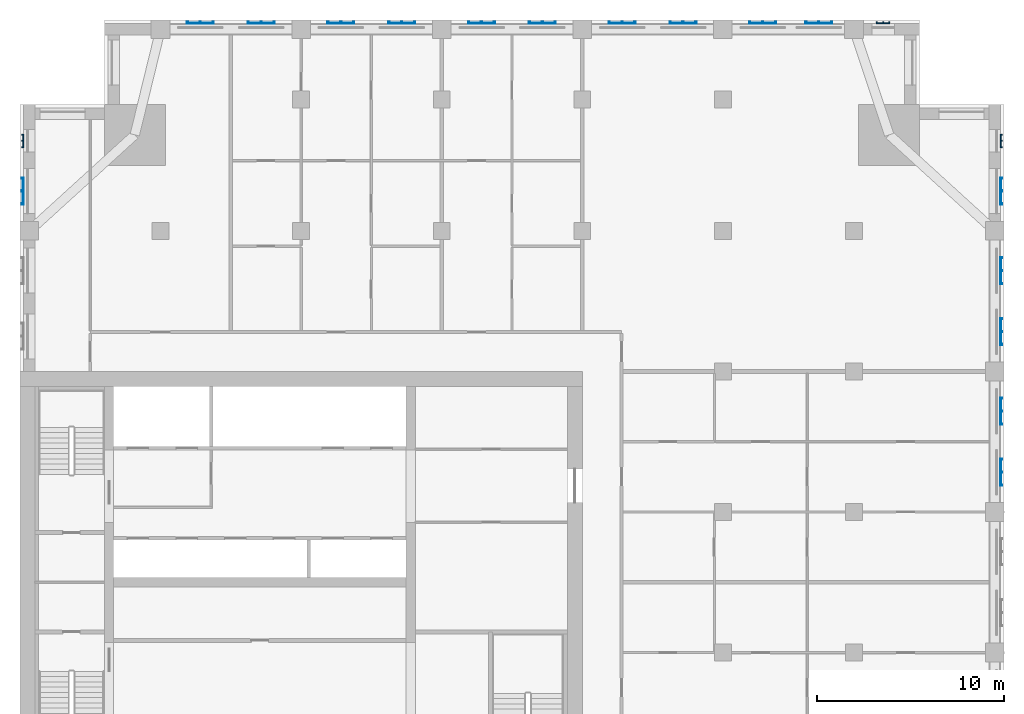
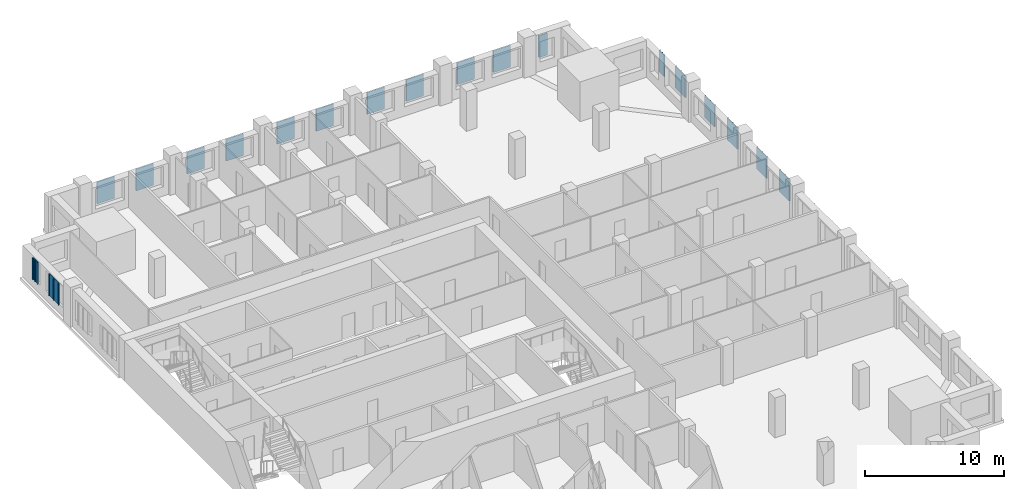
# One storey, part 5 of 14: 19 plates.
"""IFC4 building model written with IfcOpenShell, lengths in metres."""

from ifc_helpers import new_model, si_unit, direction, frame, origin, place, context, subcontext, project, spatial, polyline, outline, extrude, material, layer, layer_set, type_object, element, save


model = new_model("IFC4")

# Units and contexts
model_context = context("Model", 3, precision=1e-05, world=origin(), true_north=direction((0.0, 1.0)))
body_context = subcontext(model_context, "Body", "Model", "MODEL_VIEW")
ifc_project = project(units=[si_unit("LENGTHUNIT", "METRE"), si_unit("AREAUNIT", "SQUARE_METRE"), si_unit("VOLUMEUNIT", "CUBIC_METRE"), si_unit("PLANEANGLEUNIT", "RADIAN"), si_unit("MASSUNIT", "GRAM", prefix="KILO")], contexts=[model_context])

# Site, building, storey
site_placement = place(None, origin())
site = spatial("IfcSite", under=ifc_project, at=site_placement, CompositionType="ELEMENT")
building_placement = place(site_placement, origin())
building = spatial("IfcBuilding", under=site, at=building_placement, Name="Tamorin Gate", CompositionType="ELEMENT")
storey_placement = place(building_placement, frame((0.0, 0.0, 207.199951171875)))
storey = spatial("IfcBuildingStorey", under=building, at=storey_placement, Name="L51", CompositionType="ELEMENT", Elevation=207.199951171875)

# Plates
ifc_material = material(Name="Perforated pale aluminium sheet", Category="aluminium")
ifc_layer_1 = layer(ifc_material, 0.0400390625)
ifc_layer_set_1 = layer_set([ifc_layer_1], Name="Pale metal solar screen 1440")
plate_type_1 = type_object("IfcPlateType", Name="Pale metal solar screen 1440", PredefinedType="SHEET", material=ifc_layer_set_1)
plate_1_placement = place(storey_placement, frame((0.0, 0.0, 0.737548828125)))
element("IfcPlate", 1, at=plate_1_placement, inside=storey, type_object=plate_type_1, Name="Perforated solar screen", PredefinedType="SHEET", context=body_context, shape_type="SweptSolid", body=[
    extrude(outline(polyline([(82.340087890625, 76.405029296875), (82.300048828125, 76.405029296875), (82.300048828125, 76.465087890625), (82.300048828125, 77.094970703125), (82.300048828125, 77.155029296875), (82.300048828125, 77.784912109375), (82.300048828125, 77.844970703125), (82.340087890625, 77.844970703125), (82.39990234375, 77.844970703125), (82.39990234375, 77.784912109375), (82.340087890625, 77.784912109375), (82.340087890625, 77.155029296875), (82.39990234375, 77.155029296875), (82.39990234375, 77.094970703125), (82.340087890625, 77.094970703125), (82.340087890625, 76.465087890625), (82.39990234375, 76.465087890625), (82.39990234375, 76.405029296875), (82.340087890625, 76.405029296875)])), origin(), (0.0, 0.0, 1.0), 1.925048828125),
])
plate_2_placement = place(storey_placement, frame((0.0, 0.0, 0.737548828125)))
element("IfcPlate", 2, at=plate_2_placement, inside=storey, type_object=plate_type_1, Name="Perforated solar screen", PredefinedType="SHEET", context=body_context, shape_type="SweptSolid", body=[
    extrude(outline(polyline([(82.340087890625, 79.655029296875), (82.300048828125, 79.655029296875), (82.300048828125, 79.715087890625), (82.300048828125, 80.344970703125), (82.300048828125, 80.405029296875), (82.300048828125, 81.034912109375), (82.300048828125, 81.094970703125), (82.340087890625, 81.094970703125), (82.39990234375, 81.094970703125), (82.39990234375, 81.034912109375), (82.340087890625, 81.034912109375), (82.340087890625, 80.405029296875), (82.39990234375, 80.405029296875), (82.39990234375, 80.344970703125), (82.340087890625, 80.344970703125), (82.340087890625, 79.715087890625), (82.39990234375, 79.715087890625), (82.39990234375, 79.655029296875), (82.340087890625, 79.655029296875)])), origin(), (0.0, 0.0, 1.0), 1.925048828125),
])
plate_3_placement = place(storey_placement, frame((0.0, 0.0, 0.737548828125)))
element("IfcPlate", 3, at=plate_3_placement, inside=storey, type_object=plate_type_1, Name="Perforated solar screen", PredefinedType="SHEET", context=body_context, shape_type="SweptSolid", body=[
    extrude(outline(polyline([(82.340087890625, 83.905029296875), (82.300048828125, 83.905029296875), (82.300048828125, 83.965087890625), (82.300048828125, 84.594970703125), (82.300048828125, 84.655029296875), (82.300048828125, 85.284912109375), (82.300048828125, 85.344970703125), (82.340087890625, 85.344970703125), (82.39990234375, 85.344970703125), (82.39990234375, 85.284912109375), (82.340087890625, 85.284912109375), (82.340087890625, 84.655029296875), (82.39990234375, 84.655029296875), (82.39990234375, 84.594970703125), (82.340087890625, 84.594970703125), (82.340087890625, 83.965087890625), (82.39990234375, 83.965087890625), (82.39990234375, 83.905029296875), (82.340087890625, 83.905029296875)])), origin(), (0.0, 0.0, 1.0), 1.925048828125),
])
plate_4_placement = place(storey_placement, frame((0.0, 0.0, 0.737548828125)))
element("IfcPlate", 4, at=plate_4_placement, inside=storey, type_object=plate_type_1, Name="Perforated solar screen", PredefinedType="SHEET", context=body_context, shape_type="SweptSolid", body=[
    extrude(outline(polyline([(82.340087890625, 87.155029296875), (82.300048828125, 87.155029296875), (82.300048828125, 87.215087890625), (82.300048828125, 87.844970703125), (82.300048828125, 87.905029296875), (82.300048828125, 88.534912109375), (82.300048828125, 88.594970703125), (82.340087890625, 88.594970703125), (82.39990234375, 88.594970703125), (82.39990234375, 88.534912109375), (82.340087890625, 88.534912109375), (82.340087890625, 87.905029296875), (82.39990234375, 87.905029296875), (82.39990234375, 87.844970703125), (82.340087890625, 87.844970703125), (82.340087890625, 87.215087890625), (82.39990234375, 87.215087890625), (82.39990234375, 87.155029296875), (82.340087890625, 87.155029296875)])), origin(), (0.0, 0.0, 1.0), 1.925048828125),
])
plate_5_placement = place(storey_placement, frame((0.0, 0.0, 0.737548828125)))
element("IfcPlate", 5, at=plate_5_placement, inside=storey, type_object=plate_type_1, Name="Perforated solar screen", PredefinedType="SHEET", context=body_context, shape_type="SweptSolid", body=[
    extrude(outline(polyline([(82.340087890625, 91.405029296875), (82.300048828125, 91.405029296875), (82.300048828125, 91.465087890625), (82.300048828125, 92.094970703125), (82.300048828125, 92.155029296875), (82.300048828125, 92.784912109375), (82.300048828125, 92.844970703125), (82.340087890625, 92.844970703125), (82.39990234375, 92.844970703125), (82.39990234375, 92.784912109375), (82.340087890625, 92.784912109375), (82.340087890625, 92.155029296875), (82.39990234375, 92.155029296875), (82.39990234375, 92.094970703125), (82.340087890625, 92.094970703125), (82.340087890625, 91.465087890625), (82.39990234375, 91.465087890625), (82.39990234375, 91.405029296875), (82.340087890625, 91.405029296875)])), origin(), (0.0, 0.0, 1.0), 1.925048828125),
])
plate_6_placement = place(storey_placement, frame((0.0, 0.0, 0.737548828125)))
element("IfcPlate", 6, at=plate_6_placement, inside=storey, type_object=plate_type_1, Name="Perforated solar screen", PredefinedType="SHEET", context=body_context, shape_type="SweptSolid", body=[
    extrude(outline(polyline([(70.344970703125, 101.090087890625), (70.344970703125, 101.050048828125), (70.284912109375, 101.050048828125), (69.655029296875, 101.050048828125), (69.594970703125, 101.050048828125), (68.965087890625, 101.050048828125), (68.905029296875, 101.050048828125), (68.905029296875, 101.090087890625), (68.905029296875, 101.14990234375), (68.965087890625, 101.14990234375), (68.965087890625, 101.090087890625), (69.594970703125, 101.090087890625), (69.594970703125, 101.14990234375), (69.655029296875, 101.14990234375), (69.655029296875, 101.090087890625), (70.284912109375, 101.090087890625), (70.284912109375, 101.14990234375), (70.344970703125, 101.14990234375), (70.344970703125, 101.090087890625)])), origin(), (0.0, 0.0, 1.0), 1.925048828125),
])
plate_7_placement = place(storey_placement, frame((0.0, 0.0, 0.737548828125)))
element("IfcPlate", 7, at=plate_7_placement, inside=storey, type_object=plate_type_1, Name="Perforated solar screen", PredefinedType="SHEET", context=body_context, shape_type="SweptSolid", body=[
    extrude(outline(polyline([(73.344970703125, 101.090087890625), (73.344970703125, 101.050048828125), (73.284912109375, 101.050048828125), (72.655029296875, 101.050048828125), (72.594970703125, 101.050048828125), (71.965087890625, 101.050048828125), (71.905029296875, 101.050048828125), (71.905029296875, 101.050048828125), (71.905029296875, 101.090087890625), (71.905029296875, 101.090087890625), (71.905029296875, 101.14990234375), (71.965087890625, 101.14990234375), (71.965087890625, 101.090087890625), (72.594970703125, 101.090087890625), (72.594970703125, 101.14990234375), (72.655029296875, 101.14990234375), (72.655029296875, 101.090087890625), (73.284912109375, 101.090087890625), (73.284912109375, 101.14990234375), (73.344970703125, 101.14990234375), (73.344970703125, 101.090087890625)])), origin(), (0.0, 0.0, 1.0), 1.925048828125),
])
plate_8_placement = place(storey_placement, frame((0.0, 0.0, 0.737548828125)))
element("IfcPlate", 8, at=plate_8_placement, inside=storey, type_object=plate_type_1, Name="Perforated solar screen", PredefinedType="SHEET", context=body_context, shape_type="SweptSolid", body=[
    extrude(outline(polyline([(62.844970703125, 101.090087890625), (62.844970703125, 101.050048828125), (62.784912109375, 101.050048828125), (62.155029296875, 101.050048828125), (62.094970703125, 101.050048828125), (61.465087890625, 101.050048828125), (61.405029296875, 101.050048828125), (61.405029296875, 101.090087890625), (61.405029296875, 101.14990234375), (61.465087890625, 101.14990234375), (61.465087890625, 101.090087890625), (62.094970703125, 101.090087890625), (62.094970703125, 101.14990234375), (62.155029296875, 101.14990234375), (62.155029296875, 101.090087890625), (62.784912109375, 101.090087890625), (62.784912109375, 101.14990234375), (62.844970703125, 101.14990234375), (62.844970703125, 101.090087890625)])), origin(), (0.0, 0.0, 1.0), 1.925048828125),
])
plate_9_placement = place(storey_placement, frame((0.0, 0.0, 0.737548828125)))
element("IfcPlate", 9, at=plate_9_placement, inside=storey, type_object=plate_type_1, Name="Perforated solar screen", PredefinedType="SHEET", context=body_context, shape_type="SweptSolid", body=[
    extrude(outline(polyline([(66.094970703125, 101.090087890625), (66.094970703125, 101.050048828125), (66.034912109375, 101.050048828125), (65.405029296875, 101.050048828125), (65.344970703125, 101.050048828125), (64.715087890625, 101.050048828125), (64.655029296875, 101.050048828125), (64.655029296875, 101.090087890625), (64.655029296875, 101.14990234375), (64.715087890625, 101.14990234375), (64.715087890625, 101.090087890625), (65.344970703125, 101.090087890625), (65.344970703125, 101.14990234375), (65.405029296875, 101.14990234375), (65.405029296875, 101.090087890625), (66.034912109375, 101.090087890625), (66.034912109375, 101.14990234375), (66.094970703125, 101.14990234375), (66.094970703125, 101.090087890625)])), origin(), (0.0, 0.0, 1.0), 1.925048828125),
])
plate_10_placement = place(storey_placement, frame((0.0, 0.0, 0.737548828125)))
element("IfcPlate", 10, at=plate_10_placement, inside=storey, type_object=plate_type_1, Name="Perforated solar screen", PredefinedType="SHEET", context=body_context, shape_type="SweptSolid", body=[
    extrude(outline(polyline([(55.344970703125, 101.090087890625), (55.344970703125, 101.050048828125), (55.284912109375, 101.050048828125), (54.655029296875, 101.050048828125), (54.594970703125, 101.050048828125), (53.965087890625, 101.050048828125), (53.905029296875, 101.050048828125), (53.905029296875, 101.090087890625), (53.905029296875, 101.14990234375), (53.965087890625, 101.14990234375), (53.965087890625, 101.090087890625), (54.594970703125, 101.090087890625), (54.594970703125, 101.14990234375), (54.655029296875, 101.14990234375), (54.655029296875, 101.090087890625), (55.284912109375, 101.090087890625), (55.284912109375, 101.14990234375), (55.344970703125, 101.14990234375), (55.344970703125, 101.090087890625)])), origin(), (0.0, 0.0, 1.0), 1.925048828125),
])
plate_11_placement = place(storey_placement, frame((0.0, 0.0, 0.737548828125)))
element("IfcPlate", 11, at=plate_11_placement, inside=storey, type_object=plate_type_1, Name="Perforated solar screen", PredefinedType="SHEET", context=body_context, shape_type="SweptSolid", body=[
    extrude(outline(polyline([(58.594970703125, 101.090087890625), (58.594970703125, 101.050048828125), (58.534912109375, 101.050048828125), (57.905029296875, 101.050048828125), (57.844970703125, 101.050048828125), (57.215087890625, 101.050048828125), (57.155029296875, 101.050048828125), (57.155029296875, 101.090087890625), (57.155029296875, 101.14990234375), (57.215087890625, 101.14990234375), (57.215087890625, 101.090087890625), (57.844970703125, 101.090087890625), (57.844970703125, 101.14990234375), (57.905029296875, 101.14990234375), (57.905029296875, 101.090087890625), (58.534912109375, 101.090087890625), (58.534912109375, 101.14990234375), (58.594970703125, 101.14990234375), (58.594970703125, 101.090087890625)])), origin(), (0.0, 0.0, 1.0), 1.925048828125),
])
plate_12_placement = place(storey_placement, frame((0.0, 0.0, 0.737548828125)))
element("IfcPlate", 12, at=plate_12_placement, inside=storey, type_object=plate_type_1, Name="Perforated solar screen", PredefinedType="SHEET", context=body_context, shape_type="SweptSolid", body=[
    extrude(outline(polyline([(47.844970703125, 101.090087890625), (47.844970703125, 101.050048828125), (47.784912109375, 101.050048828125), (47.155029296875, 101.050048828125), (47.094970703125, 101.050048828125), (46.465087890625, 101.050048828125), (46.405029296875, 101.050048828125), (46.405029296875, 101.090087890625), (46.405029296875, 101.14990234375), (46.465087890625, 101.14990234375), (46.465087890625, 101.090087890625), (47.094970703125, 101.090087890625), (47.094970703125, 101.14990234375), (47.155029296875, 101.14990234375), (47.155029296875, 101.090087890625), (47.784912109375, 101.090087890625), (47.784912109375, 101.14990234375), (47.844970703125, 101.14990234375), (47.844970703125, 101.090087890625)])), origin(), (0.0, 0.0, 1.0), 1.925048828125),
])
plate_13_placement = place(storey_placement, frame((0.0, 0.0, 0.737548828125)))
element("IfcPlate", 13, at=plate_13_placement, inside=storey, type_object=plate_type_1, Name="Perforated solar screen", PredefinedType="SHEET", context=body_context, shape_type="SweptSolid", body=[
    extrude(outline(polyline([(51.094970703125, 101.090087890625), (51.094970703125, 101.050048828125), (51.034912109375, 101.050048828125), (50.405029296875, 101.050048828125), (50.344970703125, 101.050048828125), (49.715087890625, 101.050048828125), (49.655029296875, 101.050048828125), (49.655029296875, 101.090087890625), (49.655029296875, 101.14990234375), (49.715087890625, 101.14990234375), (49.715087890625, 101.090087890625), (50.344970703125, 101.090087890625), (50.344970703125, 101.14990234375), (50.405029296875, 101.14990234375), (50.405029296875, 101.090087890625), (51.034912109375, 101.090087890625), (51.034912109375, 101.14990234375), (51.094970703125, 101.14990234375), (51.094970703125, 101.090087890625)])), origin(), (0.0, 0.0, 1.0), 1.925048828125),
])
plate_14_placement = place(storey_placement, frame((0.0, 0.0, 0.737548828125)))
element("IfcPlate", 14, at=plate_14_placement, inside=storey, type_object=plate_type_1, Name="Perforated solar screen", PredefinedType="SHEET", context=body_context, shape_type="SweptSolid", body=[
    extrude(outline(polyline([(40.344970703125, 101.090087890625), (40.344970703125, 101.050048828125), (40.284912109375, 101.050048828125), (39.655029296875, 101.050048828125), (39.594970703125, 101.050048828125), (38.965087890625, 101.050048828125), (38.905029296875, 101.050048828125), (38.905029296875, 101.090087890625), (38.905029296875, 101.14990234375), (38.965087890625, 101.14990234375), (38.965087890625, 101.090087890625), (39.594970703125, 101.090087890625), (39.594970703125, 101.14990234375), (39.655029296875, 101.14990234375), (39.655029296875, 101.090087890625), (40.284912109375, 101.090087890625), (40.284912109375, 101.14990234375), (40.344970703125, 101.14990234375), (40.344970703125, 101.090087890625)])), origin(), (0.0, 0.0, 1.0), 1.925048828125),
])
plate_15_placement = place(storey_placement, frame((0.0, 0.0, 0.737548828125)))
element("IfcPlate", 15, at=plate_15_placement, inside=storey, type_object=plate_type_1, Name="Perforated solar screen", PredefinedType="SHEET", context=body_context, shape_type="SweptSolid", body=[
    extrude(outline(polyline([(43.594970703125, 101.090087890625), (43.594970703125, 101.050048828125), (43.534912109375, 101.050048828125), (42.905029296875, 101.050048828125), (42.844970703125, 101.050048828125), (42.215087890625, 101.050048828125), (42.155029296875, 101.050048828125), (42.155029296875, 101.090087890625), (42.155029296875, 101.14990234375), (42.215087890625, 101.14990234375), (42.215087890625, 101.090087890625), (42.844970703125, 101.090087890625), (42.844970703125, 101.14990234375), (42.905029296875, 101.14990234375), (42.905029296875, 101.090087890625), (43.534912109375, 101.090087890625), (43.534912109375, 101.14990234375), (43.594970703125, 101.14990234375), (43.594970703125, 101.090087890625)])), origin(), (0.0, 0.0, 1.0), 1.925048828125),
])
plate_16_placement = place(storey_placement, frame((0.0, 0.0, 0.737548828125)))
element("IfcPlate", 16, at=plate_16_placement, inside=storey, type_object=plate_type_1, Name="Perforated solar screen", PredefinedType="SHEET", context=body_context, shape_type="SweptSolid", body=[
    extrude(outline(polyline([(30.159912109375, 92.844970703125), (30.199951171875, 92.844970703125), (30.199951171875, 92.784912109375), (30.199951171875, 92.155029296875), (30.199951171875, 92.094970703125), (30.199951171875, 91.465087890625), (30.199951171875, 91.405029296875), (30.199951171875, 91.405029296875), (30.159912109375, 91.405029296875), (30.159912109375, 91.405029296875), (30.10009765625, 91.405029296875), (30.10009765625, 91.465087890625), (30.159912109375, 91.465087890625), (30.159912109375, 92.094970703125), (30.10009765625, 92.094970703125), (30.10009765625, 92.155029296875), (30.159912109375, 92.155029296875), (30.159912109375, 92.784912109375), (30.10009765625, 92.784912109375), (30.10009765625, 92.844970703125), (30.159912109375, 92.844970703125)])), origin(), (0.0, 0.0, 1.0), 1.925048828125),
])
ifc_layer_2 = layer(ifc_material, 0.0400390625)
ifc_layer_set_2 = layer_set([ifc_layer_2], Name="Pale metal solar screen 720")
plate_type_2 = type_object("IfcPlateType", Name="Pale metal solar screen 720", PredefinedType="SHEET", material=ifc_layer_set_2)
plate_17_placement = place(storey_placement, frame((0.0, 0.0, 0.737548828125)))
element("IfcPlate", 17, at=plate_17_placement, inside=storey, type_object=plate_type_2, Name="Perforated solar screen", PredefinedType="SHEET", context=body_context, shape_type="SweptSolid", body=[
    extrude(outline(polyline([(82.340087890625, 94.43994140625), (82.300048828125, 94.43994140625), (82.300048828125, 94.5), (82.300048828125, 94.77001953125), (82.300048828125, 94.830078125), (82.300048828125, 95.10009765625), (82.300048828125, 95.159912109375), (82.340087890625, 95.159912109375), (82.39990234375, 95.159912109375), (82.39990234375, 95.10009765625), (82.340087890625, 95.10009765625), (82.340087890625, 94.830078125), (82.39990234375, 94.830078125), (82.39990234375, 94.77001953125), (82.340087890625, 94.77001953125), (82.340087890625, 94.5), (82.39990234375, 94.5), (82.39990234375, 94.43994140625), (82.340087890625, 94.43994140625)])), origin(), (0.0, 0.0, 1.0), 1.925048828125),
])
plate_18_placement = place(storey_placement, frame((0.0, 0.0, 0.737548828125)))
element("IfcPlate", 18, at=plate_18_placement, inside=storey, type_object=plate_type_2, Name="Perforated solar screen", PredefinedType="SHEET", context=body_context, shape_type="SweptSolid", body=[
    extrude(outline(polyline([(76.409912109375, 101.090087890625), (76.409912109375, 101.050048828125), (76.35009765625, 101.050048828125), (76.080078125, 101.050048828125), (76.02001953125, 101.050048828125), (75.75, 101.050048828125), (75.68994140625, 101.050048828125), (75.68994140625, 101.090087890625), (75.68994140625, 101.14990234375), (75.75, 101.14990234375), (75.75, 101.090087890625), (76.02001953125, 101.090087890625), (76.02001953125, 101.14990234375), (76.080078125, 101.14990234375), (76.080078125, 101.090087890625), (76.35009765625, 101.090087890625), (76.35009765625, 101.14990234375), (76.409912109375, 101.14990234375), (76.409912109375, 101.090087890625)])), origin(), (0.0, 0.0, 1.0), 1.925048828125),
])
plate_19_placement = place(storey_placement, frame((0.0, 0.0, 0.737548828125)))
element("IfcPlate", 19, at=plate_19_placement, inside=storey, type_object=plate_type_2, Name="Perforated solar screen", PredefinedType="SHEET", context=body_context, shape_type="SweptSolid", body=[
    extrude(outline(polyline([(30.159912109375, 95.159912109375), (30.199951171875, 95.159912109375), (30.199951171875, 95.10009765625), (30.199951171875, 94.830078125), (30.199951171875, 94.77001953125), (30.199951171875, 94.5), (30.199951171875, 94.43994140625), (30.159912109375, 94.43994140625), (30.10009765625, 94.43994140625), (30.10009765625, 94.5), (30.159912109375, 94.5), (30.159912109375, 94.77001953125), (30.10009765625, 94.77001953125), (30.10009765625, 94.830078125), (30.159912109375, 94.830078125), (30.159912109375, 95.10009765625), (30.10009765625, 95.10009765625), (30.10009765625, 95.159912109375), (30.159912109375, 95.159912109375)])), origin(), (0.0, 0.0, 1.0), 1.925048828125),
])

save(model, "model.ifc")
